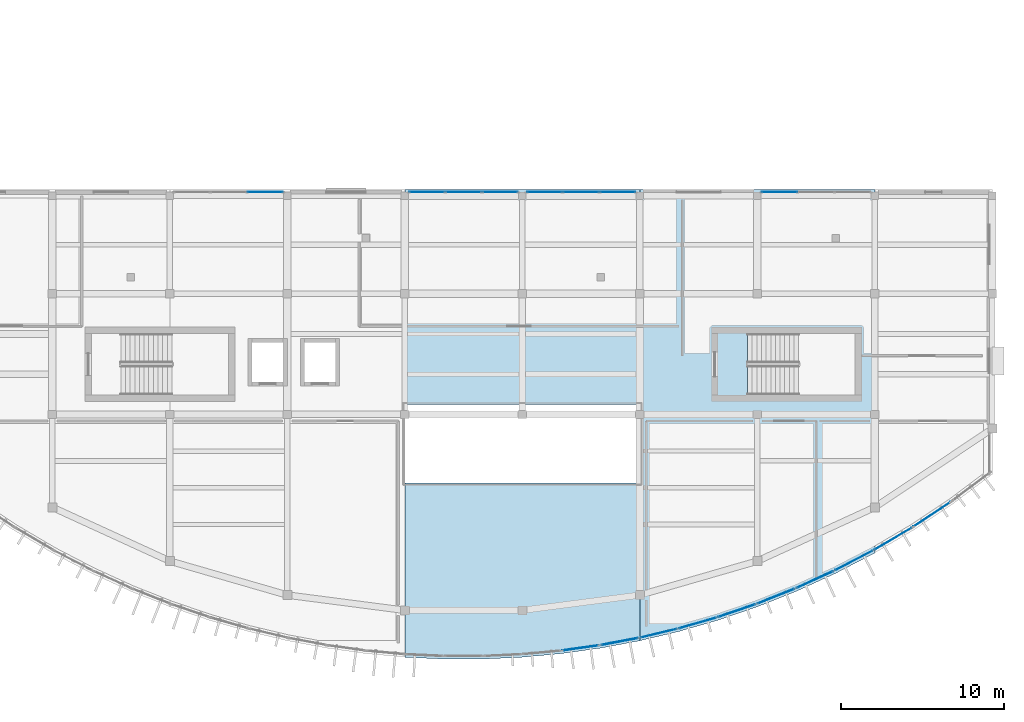
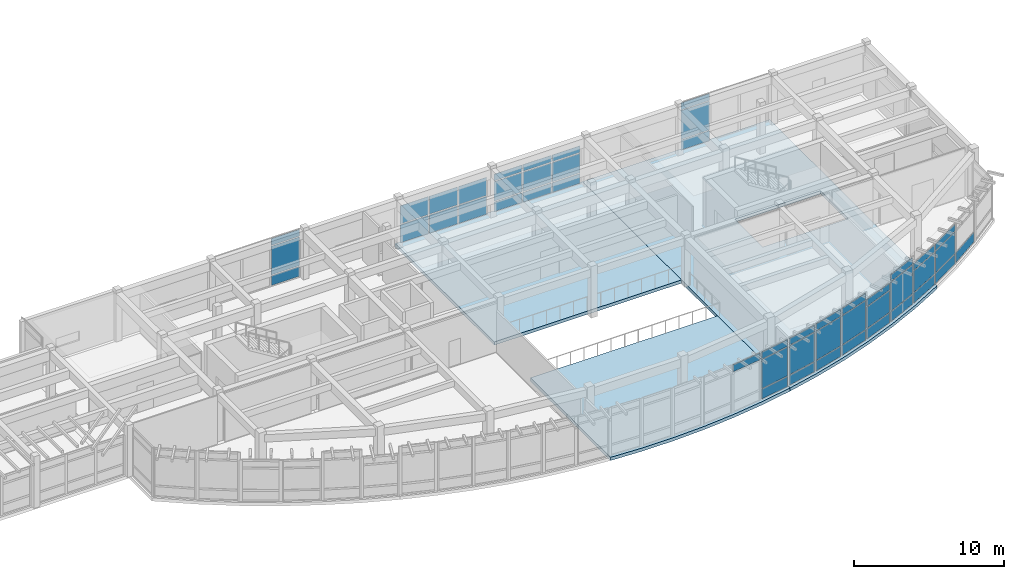
# One storey, part 33 of 60: 47 plates, 3 slabs, 14 elements without a shape of their own.
"""IFC4 building model written with IfcOpenShell, lengths in metres."""

from ifc_helpers import new_model, si_unit, direction, frame, origin, origin_2d, place, context, subcontext, project, spatial, polyline, rectangle, outline, extrude, material, layer, layer_set, type_object, element, aggregate, save


model = new_model("IFC4")

# Units and contexts
model_context = context("Model", 3, precision=1e-05, world=origin(), true_north=direction((0.0, 1.0)))
body_context = subcontext(model_context, "Body", "Model", "MODEL_VIEW")
ifc_project = project(units=[si_unit("LENGTHUNIT", "METRE"), si_unit("AREAUNIT", "SQUARE_METRE"), si_unit("VOLUMEUNIT", "CUBIC_METRE"), si_unit("PLANEANGLEUNIT", "RADIAN"), si_unit("MASSUNIT", "GRAM", prefix="KILO")], contexts=[model_context])

# Site, building, storey
site_placement = place(None, origin())
site = spatial("IfcSite", under=ifc_project, at=site_placement, CompositionType="ELEMENT")
building_placement = place(site_placement, origin())
building = spatial("IfcBuilding", under=site, at=building_placement, Name="Brisavento Harbour Community Centre", CompositionType="ELEMENT")
storey_placement = place(building_placement, frame((0.0, 0.0, 4.5)))
storey = spatial("IfcBuildingStorey", under=building, at=storey_placement, Name="L01", CompositionType="ELEMENT", Elevation=4.5)

# Curtain wall, plates
ifc_material_1 = material(Name="Marine-anodised aluminium AW-6063-T6", Category="aluminium")
ifc_layer_1 = layer(ifc_material_1, 0.179931640625, Name="Marine-anodised aluminium AW-6063-T6")
ifc_layer_set_1 = layer_set([ifc_layer_1], Name="Marine-anodised aluminium AW-6063-T6")
curtain_wall_type_1 = type_object("IfcCurtainWallType", Name="CW-SYS-20", PredefinedType="USERDEFINED", material=ifc_layer_set_1)
curtain_wall_1_placement = place(storey_placement, origin())
curtain_wall_1 = element("IfcCurtainWall", 1, at=curtain_wall_1_placement, inside=storey, type_object=curtain_wall_type_1, Name="L01 V3 unitised curtain wall 076", ObjectType="UNITISED CURTAIN WALL", PredefinedType="USERDEFINED")
ifc_material_2 = material(Name="Solar-control laminated low-E glass", Category="glass")
ifc_layer_2 = layer(ifc_material_2, 0.02392578125, Name="Solar-control laminated low-E glass")
ifc_layer_set_2 = layer_set([ifc_layer_2], Name="Solar-control laminated low-E glass")
plate_type_1 = type_object("IfcPlateType", Name="CWP-GLZ-1", PredefinedType="CURTAIN_PANEL", material=ifc_layer_set_2)
plate_1_placement = place(storey_placement, frame((152.3583984375, 1.59375, 0.080078125), z_axis=(0.0, 0.0, 1.0), x_axis=(-0.973000103624, -0.230804675748, 0.0)))
plate_1 = element("IfcPlate", 2, at=plate_1_placement, type_object=plate_type_1, Name="CW-20 panel 1.1", PredefinedType="CURTAIN_PANEL", context=body_context, shape_type="SweptSolid", body=[
    extrude(rectangle(XDim=2.2705078125, YDim=0.02392578125, at=origin_2d()), origin(), (0.0, 0.0, 1.0), 0.780029296875),
])
plate_2_placement = place(storey_placement, frame((152.3583984375, 1.59375, 0.93994140625), z_axis=(0.0, 0.0, 1.0), x_axis=(-0.973000103624, -0.230804675748, 0.0)))
plate_2 = element("IfcPlate", 3, at=plate_2_placement, type_object=plate_type_1, Name="CW-20 panel 1.2", PredefinedType="CURTAIN_PANEL", context=body_context, shape_type="SweptSolid", body=[
    extrude(rectangle(XDim=2.2705078125, YDim=0.02392578125, at=origin_2d()), origin(), (0.0, 0.0, 1.0), 2.320068359375),
])
plate_3_placement = place(storey_placement, frame((152.3583984375, 1.59375, 3.33984375), z_axis=(0.0, 0.0, 1.0), x_axis=(-0.973000103624, -0.230804675748, 0.0)))
plate_3 = element("IfcPlate", 4, at=plate_3_placement, type_object=plate_type_1, Name="CW-20 panel 1.3", PredefinedType="CURTAIN_PANEL", context=body_context, shape_type="SweptSolid", body=[
    extrude(rectangle(XDim=2.2705078125, YDim=0.02392578125, at=origin_2d()), origin(), (0.0, 0.0, 1.0), 0.530029296875),
])
aggregate(curtain_wall_1, [plate_1, plate_2, plate_3])

ifc_layer_3 = layer(ifc_material_1, 0.179931640625, Name="Marine-anodised aluminium AW-6063-T6")
ifc_layer_set_3 = layer_set([ifc_layer_3], Name="Marine-anodised aluminium AW-6063-T6")
curtain_wall_type_2 = type_object("IfcCurtainWallType", Name="CW-SYS-25", PredefinedType="USERDEFINED", material=ifc_layer_set_3)
curtain_wall_2_placement = place(storey_placement, origin())
curtain_wall_2 = element("IfcCurtainWall", 5, at=curtain_wall_2_placement, inside=storey, type_object=curtain_wall_type_2, Name="L01 V3 unitised curtain wall 081", ObjectType="UNITISED CURTAIN WALL", PredefinedType="USERDEFINED")
plate_4_placement = place(storey_placement, frame((164.31689453125, 6.04931640625, 0.06494140625), z_axis=(0.0, 0.0, 1.0), x_axis=(-0.887026600781, -0.461718322689, 0.0)))
plate_4 = element("IfcPlate", 6, at=plate_4_placement, type_object=plate_type_1, Name="CW-25 panel 1.1", PredefinedType="CURTAIN_PANEL", context=body_context, shape_type="SweptSolid", body=[
    extrude(rectangle(XDim=2.53955078125, YDim=0.02392578125, at=origin_2d()), origin(), (0.0, 0.0, 1.0), 0.802490234375),
])
plate_5_placement = place(storey_placement, frame((164.31689453125, 6.04931640625, 0.9326171875), z_axis=(0.0, 0.0, 1.0), x_axis=(-0.887026600781, -0.461718322689, 0.0)))
plate_5 = element("IfcPlate", 7, at=plate_5_placement, type_object=plate_type_1, Name="CW-25 panel 1.2", PredefinedType="CURTAIN_PANEL", context=body_context, shape_type="SweptSolid", body=[
    extrude(rectangle(XDim=2.53955078125, YDim=0.02392578125, at=origin_2d()), origin(), (0.0, 0.0, 1.0), 1.735107421875),
])
plate_6_placement = place(storey_placement, frame((164.31689453125, 6.04931640625, 2.732421875), z_axis=(0.0, 0.0, 1.0), x_axis=(-0.887026600781, -0.461718322689, 0.0)))
plate_6 = element("IfcPlate", 8, at=plate_6_placement, type_object=plate_type_1, Name="CW-25 panel 1.3", PredefinedType="CURTAIN_PANEL", context=body_context, shape_type="SweptSolid", body=[
    extrude(rectangle(XDim=2.53955078125, YDim=0.02392578125, at=origin_2d()), origin(), (0.0, 0.0, 1.0), 0.552490234375),
])
aggregate(curtain_wall_2, [plate_4, plate_5, plate_6])

ifc_layer_4 = layer(ifc_material_1, 0.179931640625, Name="Marine-anodised aluminium AW-6063-T6")
ifc_layer_set_4 = layer_set([ifc_layer_4], Name="Marine-anodised aluminium AW-6063-T6")
curtain_wall_type_3 = type_object("IfcCurtainWallType", Name="CW-SYS-02", PredefinedType="USERDEFINED", material=ifc_layer_set_4)
curtain_wall_3_placement = place(storey_placement, origin())
curtain_wall_3 = element("IfcCurtainWall", 9, at=curtain_wall_3_placement, inside=storey, type_object=curtain_wall_type_3, Name="L01 V3 unitised curtain wall 086", ObjectType="UNITISED CURTAIN WALL", PredefinedType="USERDEFINED")
plate_7_placement = place(storey_placement, frame((128.242431640625, 28.6201171875, 0.070068359375), z_axis=(0.0, 0.0, 1.0), x_axis=(1.0, 0.0, 0.0)))
plate_7 = element("IfcPlate", 10, at=plate_7_placement, type_object=plate_type_1, Name="CW-02 panel 3.1", PredefinedType="CURTAIN_PANEL", context=body_context, shape_type="SweptSolid", body=[
    extrude(rectangle(XDim=2.155029296875, YDim=0.02392578125, at=origin_2d()), origin(), (0.0, 0.0, 1.0), 0.794921875),
])
plate_8_placement = place(storey_placement, frame((128.242431640625, 28.6201171875, 0.93505859375), z_axis=(0.0, 0.0, 1.0), x_axis=(1.0, 0.0, 0.0)))
plate_8 = element("IfcPlate", 11, at=plate_8_placement, type_object=plate_type_1, Name="CW-02 panel 3.2", PredefinedType="CURTAIN_PANEL", context=body_context, shape_type="SweptSolid", body=[
    extrude(rectangle(XDim=2.155029296875, YDim=0.02392578125, at=origin_2d()), origin(), (0.0, 0.0, 1.0), 2.330078125),
])
plate_9_placement = place(storey_placement, frame((128.242431640625, 28.6201171875, 3.3349609375), z_axis=(0.0, 0.0, 1.0), x_axis=(1.0, 0.0, 0.0)))
plate_9 = element("IfcPlate", 12, at=plate_9_placement, type_object=plate_type_1, Name="CW-02 panel 3.3", PredefinedType="CURTAIN_PANEL", context=body_context, shape_type="SweptSolid", body=[
    extrude(rectangle(XDim=2.155029296875, YDim=0.02392578125, at=origin_2d()), origin(), (0.0, 0.0, 1.0), 0.544921875),
])
aggregate(curtain_wall_3, [plate_7, plate_8, plate_9])

ifc_layer_5 = layer(ifc_material_1, 0.179931640625, Name="Marine-anodised aluminium AW-6063-T6")
ifc_layer_set_5 = layer_set([ifc_layer_5], Name="Marine-anodised aluminium AW-6063-T6")
curtain_wall_type_4 = type_object("IfcCurtainWallType", Name="CW-SYS-21", PredefinedType="USERDEFINED", material=ifc_layer_set_5)
curtain_wall_4_placement = place(storey_placement, origin())
curtain_wall_4 = element("IfcCurtainWall", 13, at=curtain_wall_4_placement, inside=storey, type_object=curtain_wall_type_4, Name="L01 V3 unitised curtain wall 077", ObjectType="UNITISED CURTAIN WALL", PredefinedType="USERDEFINED")
ifc_layer_6 = layer(ifc_material_2, 0.028076171875, Name="Solar-control laminated low-E glass")
ifc_layer_set_6 = layer_set([ifc_layer_6], Name="Solar-control laminated low-E glass")
plate_type_2 = type_object("IfcPlateType", Name="CWP-GLZ-2", PredefinedType="CURTAIN_PANEL", material=ifc_layer_set_6)
plate_10_placement = place(storey_placement, frame((154.75, 2.22216796875, 0.06494140625), z_axis=(0.0, 0.0, 1.0), x_axis=(-0.960869761126, -0.277000545402, 0.0)))
plate_10 = element("IfcPlate", 14, at=plate_10_placement, type_object=plate_type_2, Name="CW-21 panel 1.1", PredefinedType="CURTAIN_PANEL", context=body_context, shape_type="SweptSolid", body=[
    extrude(rectangle(XDim=2.331787109375, YDim=0.028076171875, at=origin_2d()), origin(), (0.0, 0.0, 1.0), 0.802490234375),
])
plate_11_placement = place(storey_placement, frame((154.75, 2.22216796875, 0.9326171875), z_axis=(0.0, 0.0, 1.0), x_axis=(-0.960869761126, -0.277000545402, 0.0)))
plate_11 = element("IfcPlate", 15, at=plate_11_placement, type_object=plate_type_2, Name="CW-21 panel 1.2", PredefinedType="CURTAIN_PANEL", context=body_context, shape_type="SweptSolid", body=[
    extrude(rectangle(XDim=2.331787109375, YDim=0.028076171875, at=origin_2d()), origin(), (0.0, 0.0, 1.0), 2.3349609375),
])
plate_12_placement = place(storey_placement, frame((154.75, 2.22216796875, 3.33251953125), z_axis=(0.0, 0.0, 1.0), x_axis=(-0.960869761126, -0.277000545402, 0.0)))
plate_12 = element("IfcPlate", 16, at=plate_12_placement, type_object=plate_type_2, Name="CW-21 panel 1.3", PredefinedType="CURTAIN_PANEL", context=body_context, shape_type="SweptSolid", body=[
    extrude(rectangle(XDim=2.331787109375, YDim=0.028076171875, at=origin_2d()), origin(), (0.0, 0.0, 1.0), 0.552490234375),
])
aggregate(curtain_wall_4, [plate_10, plate_11, plate_12])

ifc_layer_7 = layer(ifc_material_1, 0.179931640625, Name="Marine-anodised aluminium AW-6063-T6")
ifc_layer_set_7 = layer_set([ifc_layer_7], Name="Marine-anodised aluminium AW-6063-T6")
curtain_wall_type_5 = type_object("IfcCurtainWallType", Name="CW-SYS-26", PredefinedType="USERDEFINED", material=ifc_layer_set_7)
curtain_wall_5_placement = place(storey_placement, origin())
curtain_wall_5 = element("IfcCurtainWall", 17, at=curtain_wall_5_placement, inside=storey, type_object=curtain_wall_type_5, Name="L01 V3 unitised curtain wall 082", ObjectType="UNITISED CURTAIN WALL", PredefinedType="USERDEFINED")
plate_13_placement = place(storey_placement, frame((166.70849609375, 7.376708984375, 0.070068359375), z_axis=(0.0, 0.0, 1.0), x_axis=(-0.861429947925, -0.50787640703, 0.0)))
plate_13 = element("IfcPlate", 18, at=plate_13_placement, type_object=plate_type_2, Name="CW-26 panel 1.1", PredefinedType="CURTAIN_PANEL", context=body_context, shape_type="SweptSolid", body=[
    extrude(rectangle(XDim=2.610107421875, YDim=0.028076171875, at=origin_2d()), origin(), (0.0, 0.0, 1.0), 0.794921875),
])
plate_14_placement = place(storey_placement, frame((166.70849609375, 7.376708984375, 0.93505859375), z_axis=(0.0, 0.0, 1.0), x_axis=(-0.861429947925, -0.50787640703, 0.0)))
plate_14 = element("IfcPlate", 19, at=plate_14_placement, type_object=plate_type_2, Name="CW-26 panel 1.2", PredefinedType="CURTAIN_PANEL", context=body_context, shape_type="SweptSolid", body=[
    extrude(rectangle(XDim=2.610107421875, YDim=0.028076171875, at=origin_2d()), origin(), (0.0, 0.0, 1.0), 1.72998046875),
])
plate_15_placement = place(storey_placement, frame((166.70849609375, 7.376708984375, 2.735107421875), z_axis=(0.0, 0.0, 1.0), x_axis=(-0.861429947925, -0.50787640703, 0.0)))
plate_15 = element("IfcPlate", 20, at=plate_15_placement, type_object=plate_type_2, Name="CW-26 panel 1.3", PredefinedType="CURTAIN_PANEL", context=body_context, shape_type="SweptSolid", body=[
    extrude(rectangle(XDim=2.610107421875, YDim=0.028076171875, at=origin_2d()), origin(), (0.0, 0.0, 1.0), 0.544921875),
])
aggregate(curtain_wall_5, [plate_13, plate_14, plate_15])

ifc_layer_8 = layer(ifc_material_1, 0.179931640625, Name="Marine-anodised aluminium AW-6063-T6")
ifc_layer_set_8 = layer_set([ifc_layer_8], Name="Marine-anodised aluminium AW-6063-T6")
curtain_wall_type_6 = type_object("IfcCurtainWallType", Name="CW-SYS-03", PredefinedType="USERDEFINED", material=ifc_layer_set_8)
curtain_wall_6_placement = place(storey_placement, origin())
curtain_wall_6 = element("IfcCurtainWall", 21, at=curtain_wall_6_placement, inside=storey, type_object=curtain_wall_type_6, Name="L01 V3 unitised curtain wall 087", ObjectType="UNITISED CURTAIN WALL", PredefinedType="USERDEFINED")
plate_16_placement = place(storey_placement, frame((138.15869140625, 28.6201171875, 0.074951171875), z_axis=(0.0, 0.0, 1.0), x_axis=(1.0, 0.0, 0.0)))
plate_16 = element("IfcPlate", 22, at=plate_16_placement, type_object=plate_type_2, Name="CW-03 panel 1.1", PredefinedType="CURTAIN_PANEL", context=body_context, shape_type="SweptSolid", body=[
    extrude(rectangle(XDim=2.1474609375, YDim=0.028076171875, at=origin_2d()), origin(), (0.0, 0.0, 1.0), 1.46240234375),
])
plate_17_placement = place(storey_placement, frame((138.15869140625, 28.6201171875, 1.612548828125), z_axis=(0.0, 0.0, 1.0), x_axis=(1.0, 0.0, 0.0)))
plate_17 = element("IfcPlate", 23, at=plate_17_placement, type_object=plate_type_2, Name="CW-03 panel 1.2", PredefinedType="CURTAIN_PANEL", context=body_context, shape_type="SweptSolid", body=[
    extrude(rectangle(XDim=2.1474609375, YDim=0.028076171875, at=origin_2d()), origin(), (0.0, 0.0, 1.0), 1.46240234375),
])
plate_18_placement = place(storey_placement, frame((140.39990234375, 28.6201171875, 0.074951171875), z_axis=(0.0, 0.0, 1.0), x_axis=(1.0, 0.0, 0.0)))
plate_18 = element("IfcPlate", 24, at=plate_18_placement, type_object=plate_type_2, Name="CW-03 panel 2.1", PredefinedType="CURTAIN_PANEL", context=body_context, shape_type="SweptSolid", body=[
    extrude(rectangle(XDim=2.18505859375, YDim=0.028076171875, at=origin_2d()), origin(), (0.0, 0.0, 1.0), 1.46240234375),
])
plate_19_placement = place(storey_placement, frame((140.39990234375, 28.6201171875, 1.612548828125), z_axis=(0.0, 0.0, 1.0), x_axis=(1.0, 0.0, 0.0)))
plate_19 = element("IfcPlate", 25, at=plate_19_placement, type_object=plate_type_2, Name="CW-03 panel 2.2", PredefinedType="CURTAIN_PANEL", context=body_context, shape_type="SweptSolid", body=[
    extrude(rectangle(XDim=2.18505859375, YDim=0.028076171875, at=origin_2d()), origin(), (0.0, 0.0, 1.0), 1.46240234375),
])
plate_20_placement = place(storey_placement, frame((142.641357421875, 28.6201171875, 0.074951171875), z_axis=(0.0, 0.0, 1.0), x_axis=(1.0, 0.0, 0.0)))
plate_20 = element("IfcPlate", 26, at=plate_20_placement, type_object=plate_type_2, Name="CW-03 panel 3.1", PredefinedType="CURTAIN_PANEL", context=body_context, shape_type="SweptSolid", body=[
    extrude(rectangle(XDim=2.1474609375, YDim=0.028076171875, at=origin_2d()), origin(), (0.0, 0.0, 1.0), 1.46240234375),
])
plate_21_placement = place(storey_placement, frame((142.641357421875, 28.6201171875, 1.612548828125), z_axis=(0.0, 0.0, 1.0), x_axis=(1.0, 0.0, 0.0)))
plate_21 = element("IfcPlate", 27, at=plate_21_placement, type_object=plate_type_2, Name="CW-03 panel 3.2", PredefinedType="CURTAIN_PANEL", context=body_context, shape_type="SweptSolid", body=[
    extrude(rectangle(XDim=2.1474609375, YDim=0.028076171875, at=origin_2d()), origin(), (0.0, 0.0, 1.0), 1.46240234375),
])
aggregate(curtain_wall_6, [plate_16, plate_17, plate_18, plate_19, plate_20, plate_21])

ifc_layer_9 = layer(ifc_material_1, 0.179931640625, Name="Marine-anodised aluminium AW-6063-T6")
ifc_layer_set_9 = layer_set([ifc_layer_9], Name="Marine-anodised aluminium AW-6063-T6")
curtain_wall_type_7 = type_object("IfcCurtainWallType", Name="CW-SYS-22", PredefinedType="USERDEFINED", material=ifc_layer_set_9)
curtain_wall_7_placement = place(storey_placement, origin())
curtain_wall_7 = element("IfcCurtainWall", 28, at=curtain_wall_7_placement, inside=storey, type_object=curtain_wall_type_7, Name="L01 V3 unitised curtain wall 078", ObjectType="UNITISED CURTAIN WALL", PredefinedType="USERDEFINED")
ifc_layer_10 = layer(ifc_material_2, 0.031982421875, Name="Solar-control laminated low-E glass")
ifc_layer_set_10 = layer_set([ifc_layer_10], Name="Solar-control laminated low-E glass")
plate_type_3 = type_object("IfcPlateType", Name="CWP-GLZ-3", PredefinedType="CURTAIN_PANEL", material=ifc_layer_set_10)
plate_22_placement = place(storey_placement, frame((157.141845703125, 2.975341796875, 0.070068359375), z_axis=(0.0, 0.0, 1.0), x_axis=(-0.94633792227, -0.32317880016, 0.0)))
plate_22 = element("IfcPlate", 29, at=plate_22_placement, type_object=plate_type_3, Name="CW-22 panel 1.1", PredefinedType="CURTAIN_PANEL", context=body_context, shape_type="SweptSolid", body=[
    extrude(rectangle(XDim=2.360107421875, YDim=0.031982421875, at=origin_2d()), origin(), (0.0, 0.0, 1.0), 0.794921875),
])
plate_23_placement = place(storey_placement, frame((157.141845703125, 2.975341796875, 0.93505859375), z_axis=(0.0, 0.0, 1.0), x_axis=(-0.94633792227, -0.32317880016, 0.0)))
plate_23 = element("IfcPlate", 30, at=plate_23_placement, type_object=plate_type_3, Name="CW-22 panel 1.2", PredefinedType="CURTAIN_PANEL", context=body_context, shape_type="SweptSolid", body=[
    extrude(rectangle(XDim=2.360107421875, YDim=0.031982421875, at=origin_2d()), origin(), (0.0, 0.0, 1.0), 2.330078125),
])
plate_24_placement = place(storey_placement, frame((157.141845703125, 2.975341796875, 3.3349609375), z_axis=(0.0, 0.0, 1.0), x_axis=(-0.94633792227, -0.32317880016, 0.0)))
plate_24 = element("IfcPlate", 31, at=plate_24_placement, type_object=plate_type_3, Name="CW-22 panel 1.3", PredefinedType="CURTAIN_PANEL", context=body_context, shape_type="SweptSolid", body=[
    extrude(rectangle(XDim=2.360107421875, YDim=0.031982421875, at=origin_2d()), origin(), (0.0, 0.0, 1.0), 0.544921875),
])
aggregate(curtain_wall_7, [plate_22, plate_23, plate_24])

# Curtain wall, plate
ifc_layer_11 = layer(ifc_material_1, 0.179931640625, Name="Marine-anodised aluminium AW-6063-T6")
ifc_layer_set_11 = layer_set([ifc_layer_11], Name="Marine-anodised aluminium AW-6063-T6")
curtain_wall_type_8 = type_object("IfcCurtainWallType", Name="CW-SYS-27", PredefinedType="USERDEFINED", material=ifc_layer_set_11)
curtain_wall_8_placement = place(storey_placement, origin())
curtain_wall_8 = element("IfcCurtainWall", 32, at=curtain_wall_8_placement, inside=storey, type_object=curtain_wall_type_8, Name="L01 V3 unitised curtain wall 083", ObjectType="UNITISED CURTAIN WALL", PredefinedType="USERDEFINED")
plate_25_placement = place(storey_placement, frame((169.100341796875, 8.877685546875, 0.074951171875), z_axis=(0.0, 0.0, 1.0), x_axis=(-0.832471558705, -0.554067779199, 0.0)))
plate_25 = element("IfcPlate", 33, at=plate_25_placement, type_object=plate_type_3, Name="CW-27 panel 1.1", PredefinedType="CURTAIN_PANEL", context=body_context, shape_type="SweptSolid", body=[
    extrude(rectangle(XDim=2.697021484375, YDim=0.031982421875, at=origin_2d()), origin(), (0.0, 0.0, 1.0), 0.78759765625),
])
aggregate(curtain_wall_8, [plate_25])

# Curtain wall, plates
ifc_layer_12 = layer(ifc_material_1, 0.179931640625, Name="Marine-anodised aluminium AW-6063-T6")
ifc_layer_set_12 = layer_set([ifc_layer_12], Name="Marine-anodised aluminium AW-6063-T6")
curtain_wall_type_9 = type_object("IfcCurtainWallType", Name="CW-SYS-04", PredefinedType="USERDEFINED", material=ifc_layer_set_12)
curtain_wall_9_placement = place(storey_placement, origin())
curtain_wall_9 = element("IfcCurtainWall", 34, at=curtain_wall_9_placement, inside=storey, type_object=curtain_wall_type_9, Name="L01 V3 unitised curtain wall 088", ObjectType="UNITISED CURTAIN WALL", PredefinedType="USERDEFINED")
plate_26_placement = place(storey_placement, frame((145.360107421875, 28.6201171875, 0.080078125), z_axis=(0.0, 0.0, 1.0), x_axis=(1.0, 0.0, 0.0)))
plate_26 = element("IfcPlate", 35, at=plate_26_placement, type_object=plate_type_3, Name="CW-04 panel 1.1", PredefinedType="CURTAIN_PANEL", context=body_context, shape_type="SweptSolid", body=[
    extrude(rectangle(XDim=2.139892578125, YDim=0.031982421875, at=origin_2d()), origin(), (0.0, 0.0, 1.0), 0.780029296875),
])
plate_27_placement = place(storey_placement, frame((145.360107421875, 28.6201171875, 0.93994140625), z_axis=(0.0, 0.0, 1.0), x_axis=(1.0, 0.0, 0.0)))
plate_27 = element("IfcPlate", 36, at=plate_27_placement, type_object=plate_type_3, Name="CW-04 panel 1.2", PredefinedType="CURTAIN_PANEL", context=body_context, shape_type="SweptSolid", body=[
    extrude(rectangle(XDim=2.139892578125, YDim=0.031982421875, at=origin_2d()), origin(), (0.0, 0.0, 1.0), 1.570068359375),
])
plate_28_placement = place(storey_placement, frame((145.360107421875, 28.6201171875, 2.58984375), z_axis=(0.0, 0.0, 1.0), x_axis=(1.0, 0.0, 0.0)))
plate_28 = element("IfcPlate", 37, at=plate_28_placement, type_object=plate_type_3, Name="CW-04 panel 1.3", PredefinedType="CURTAIN_PANEL", context=body_context, shape_type="SweptSolid", body=[
    extrude(rectangle(XDim=2.139892578125, YDim=0.031982421875, at=origin_2d()), origin(), (0.0, 0.0, 1.0), 0.530029296875),
])
plate_29_placement = place(storey_placement, frame((147.60009765625, 28.6201171875, 0.080078125), z_axis=(0.0, 0.0, 1.0), x_axis=(1.0, 0.0, 0.0)))
plate_29 = element("IfcPlate", 38, at=plate_29_placement, type_object=plate_type_3, Name="CW-04 panel 2.1", PredefinedType="CURTAIN_PANEL", context=body_context, shape_type="SweptSolid", body=[
    extrude(rectangle(XDim=2.179931640625, YDim=0.031982421875, at=origin_2d()), origin(), (0.0, 0.0, 1.0), 0.780029296875),
])
plate_30_placement = place(storey_placement, frame((147.60009765625, 28.6201171875, 0.93994140625), z_axis=(0.0, 0.0, 1.0), x_axis=(1.0, 0.0, 0.0)))
plate_30 = element("IfcPlate", 39, at=plate_30_placement, type_object=plate_type_3, Name="CW-04 panel 2.2", PredefinedType="CURTAIN_PANEL", context=body_context, shape_type="SweptSolid", body=[
    extrude(rectangle(XDim=2.179931640625, YDim=0.031982421875, at=origin_2d()), origin(), (0.0, 0.0, 1.0), 1.570068359375),
])
plate_31_placement = place(storey_placement, frame((147.60009765625, 28.6201171875, 2.58984375), z_axis=(0.0, 0.0, 1.0), x_axis=(1.0, 0.0, 0.0)))
plate_31 = element("IfcPlate", 40, at=plate_31_placement, type_object=plate_type_3, Name="CW-04 panel 2.3", PredefinedType="CURTAIN_PANEL", context=body_context, shape_type="SweptSolid", body=[
    extrude(rectangle(XDim=2.179931640625, YDim=0.031982421875, at=origin_2d()), origin(), (0.0, 0.0, 1.0), 0.530029296875),
])
plate_32_placement = place(storey_placement, frame((149.840087890625, 28.6201171875, 0.080078125), z_axis=(0.0, 0.0, 1.0), x_axis=(1.0, 0.0, 0.0)))
plate_32 = element("IfcPlate", 41, at=plate_32_placement, type_object=plate_type_3, Name="CW-04 panel 3.1", PredefinedType="CURTAIN_PANEL", context=body_context, shape_type="SweptSolid", body=[
    extrude(rectangle(XDim=2.139892578125, YDim=0.031982421875, at=origin_2d()), origin(), (0.0, 0.0, 1.0), 0.780029296875),
])
plate_33_placement = place(storey_placement, frame((149.840087890625, 28.6201171875, 0.93994140625), z_axis=(0.0, 0.0, 1.0), x_axis=(1.0, 0.0, 0.0)))
plate_33 = element("IfcPlate", 42, at=plate_33_placement, type_object=plate_type_3, Name="CW-04 panel 3.2", PredefinedType="CURTAIN_PANEL", context=body_context, shape_type="SweptSolid", body=[
    extrude(rectangle(XDim=2.139892578125, YDim=0.031982421875, at=origin_2d()), origin(), (0.0, 0.0, 1.0), 1.570068359375),
])
plate_34_placement = place(storey_placement, frame((149.840087890625, 28.6201171875, 2.58984375), z_axis=(0.0, 0.0, 1.0), x_axis=(1.0, 0.0, 0.0)))
plate_34 = element("IfcPlate", 43, at=plate_34_placement, type_object=plate_type_3, Name="CW-04 panel 3.3", PredefinedType="CURTAIN_PANEL", context=body_context, shape_type="SweptSolid", body=[
    extrude(rectangle(XDim=2.139892578125, YDim=0.031982421875, at=origin_2d()), origin(), (0.0, 0.0, 1.0), 0.530029296875),
])
aggregate(curtain_wall_9, [plate_26, plate_27, plate_28, plate_29, plate_30, plate_31, plate_32, plate_33, plate_34])

# Curtain wall, plate
ifc_layer_13 = layer(ifc_material_1, 0.179931640625, Name="Marine-anodised aluminium AW-6063-T6")
ifc_layer_set_13 = layer_set([ifc_layer_13], Name="Marine-anodised aluminium AW-6063-T6")
curtain_wall_type_10 = type_object("IfcCurtainWallType", Name="CW-SYS-18", PredefinedType="USERDEFINED", material=ifc_layer_set_13)
curtain_wall_10_placement = place(storey_placement, origin())
curtain_wall_10 = element("IfcCurtainWall", 44, at=curtain_wall_10_placement, inside=storey, type_object=curtain_wall_type_10, Name="L01 V3 unitised curtain wall 074", ObjectType="UNITISED CURTAIN WALL", PredefinedType="USERDEFINED")
ifc_layer_14 = layer(ifc_material_2, 0.035888671875, Name="Solar-control laminated low-E glass")
ifc_layer_set_14 = layer_set([ifc_layer_14], Name="Solar-control laminated low-E glass")
plate_type_4 = type_object("IfcPlateType", Name="CWP-GLZ-4", PredefinedType="CURTAIN_PANEL", material=ifc_layer_set_14)
plate_35_placement = place(storey_placement, frame((147.5751953125, 0.693359375, 3.3349609375), z_axis=(0.0, 0.0, 1.0), x_axis=(-0.990365657711, -0.138476944024, 0.0)))
plate_35 = element("IfcPlate", 45, at=plate_35_placement, type_object=plate_type_4, Name="CW-18 panel 1.3", PredefinedType="CURTAIN_PANEL", context=body_context, shape_type="SweptSolid", body=[
    extrude(rectangle(XDim=2.247314453125, YDim=0.035888671875, at=origin_2d()), origin(), (0.0, 0.0, 1.0), 0.544921875),
])
aggregate(curtain_wall_10, [plate_35])

# Curtain wall, plates
ifc_layer_15 = layer(ifc_material_1, 0.179931640625, Name="Marine-anodised aluminium AW-6063-T6")
ifc_layer_set_15 = layer_set([ifc_layer_15], Name="Marine-anodised aluminium AW-6063-T6")
curtain_wall_type_11 = type_object("IfcCurtainWallType", Name="CW-SYS-23", PredefinedType="USERDEFINED", material=ifc_layer_set_15)
curtain_wall_11_placement = place(storey_placement, origin())
curtain_wall_11 = element("IfcCurtainWall", 46, at=curtain_wall_11_placement, inside=storey, type_object=curtain_wall_type_11, Name="L01 V3 unitised curtain wall 079", ObjectType="UNITISED CURTAIN WALL", PredefinedType="USERDEFINED")
plate_36_placement = place(storey_placement, frame((159.533447265625, 3.85888671875, 0.074951171875), z_axis=(0.0, 0.0, 1.0), x_axis=(-0.929278798027, -0.369379094613, 0.0)))
plate_36 = element("IfcPlate", 47, at=plate_36_placement, type_object=plate_type_4, Name="CW-23 panel 1.1", PredefinedType="CURTAIN_PANEL", context=body_context, shape_type="SweptSolid", body=[
    extrude(rectangle(XDim=2.396728515625, YDim=0.035888671875, at=origin_2d()), origin(), (0.0, 0.0, 1.0), 0.78759765625),
])
plate_37_placement = place(storey_placement, frame((159.533447265625, 3.85888671875, 0.9375), z_axis=(0.0, 0.0, 1.0), x_axis=(-0.929278798027, -0.369379094613, 0.0)))
plate_37 = element("IfcPlate", 48, at=plate_37_placement, type_object=plate_type_4, Name="CW-23 panel 1.2", PredefinedType="CURTAIN_PANEL", context=body_context, shape_type="SweptSolid", body=[
    extrude(rectangle(XDim=2.396728515625, YDim=0.035888671875, at=origin_2d()), origin(), (0.0, 0.0, 1.0), 1.72509765625),
])
plate_38_placement = place(storey_placement, frame((159.533447265625, 3.85888671875, 2.737548828125), z_axis=(0.0, 0.0, 1.0), x_axis=(-0.929278798027, -0.369379094613, 0.0)))
plate_38 = element("IfcPlate", 49, at=plate_38_placement, type_object=plate_type_4, Name="CW-23 panel 1.3", PredefinedType="CURTAIN_PANEL", context=body_context, shape_type="SweptSolid", body=[
    extrude(rectangle(XDim=2.396728515625, YDim=0.035888671875, at=origin_2d()), origin(), (0.0, 0.0, 1.0), 0.53759765625),
])
aggregate(curtain_wall_11, [plate_36, plate_37, plate_38])

ifc_layer_16 = layer(ifc_material_1, 0.179931640625, Name="Marine-anodised aluminium AW-6063-T6")
ifc_layer_set_16 = layer_set([ifc_layer_16], Name="Marine-anodised aluminium AW-6063-T6")
curtain_wall_type_12 = type_object("IfcCurtainWallType", Name="CW-SYS-05", PredefinedType="USERDEFINED", material=ifc_layer_set_16)
curtain_wall_12_placement = place(storey_placement, origin())
curtain_wall_12 = element("IfcCurtainWall", 50, at=curtain_wall_12_placement, inside=storey, type_object=curtain_wall_type_12, Name="L01 V3 unitised curtain wall 089", ObjectType="UNITISED CURTAIN WALL", PredefinedType="USERDEFINED")
plate_39_placement = place(storey_placement, frame((159.75634765625, 28.6201171875, 0.06494140625), z_axis=(0.0, 0.0, 1.0), x_axis=(1.0, 0.0, 0.0)))
plate_39 = element("IfcPlate", 51, at=plate_39_placement, type_object=plate_type_4, Name="CW-05 panel 1.1", PredefinedType="CURTAIN_PANEL", context=body_context, shape_type="SweptSolid", body=[
    extrude(rectangle(XDim=2.16259765625, YDim=0.035888671875, at=origin_2d()), origin(), (0.0, 0.0, 1.0), 0.802490234375),
])
plate_40_placement = place(storey_placement, frame((159.75634765625, 28.6201171875, 0.9326171875), z_axis=(0.0, 0.0, 1.0), x_axis=(1.0, 0.0, 0.0)))
plate_40 = element("IfcPlate", 52, at=plate_40_placement, type_object=plate_type_4, Name="CW-05 panel 1.2", PredefinedType="CURTAIN_PANEL", context=body_context, shape_type="SweptSolid", body=[
    extrude(rectangle(XDim=2.16259765625, YDim=0.035888671875, at=origin_2d()), origin(), (0.0, 0.0, 1.0), 2.3349609375),
])
plate_41_placement = place(storey_placement, frame((159.75634765625, 28.6201171875, 3.33251953125), z_axis=(0.0, 0.0, 1.0), x_axis=(1.0, 0.0, 0.0)))
plate_41 = element("IfcPlate", 53, at=plate_41_placement, type_object=plate_type_4, Name="CW-05 panel 1.3", PredefinedType="CURTAIN_PANEL", context=body_context, shape_type="SweptSolid", body=[
    extrude(rectangle(XDim=2.16259765625, YDim=0.035888671875, at=origin_2d()), origin(), (0.0, 0.0, 1.0), 0.552490234375),
])
aggregate(curtain_wall_12, [plate_39, plate_40, plate_41])

ifc_layer_17 = layer(ifc_material_1, 0.179931640625, Name="Marine-anodised aluminium AW-6063-T6")
ifc_layer_set_17 = layer_set([ifc_layer_17], Name="Marine-anodised aluminium AW-6063-T6")
curtain_wall_type_13 = type_object("IfcCurtainWallType", Name="CW-SYS-19", PredefinedType="USERDEFINED", material=ifc_layer_set_17)
curtain_wall_13_placement = place(storey_placement, origin())
curtain_wall_13 = element("IfcCurtainWall", 54, at=curtain_wall_13_placement, inside=storey, type_object=curtain_wall_type_13, Name="L01 V3 unitised curtain wall 075", ObjectType="UNITISED CURTAIN WALL", PredefinedType="USERDEFINED")
ifc_layer_18 = layer(ifc_material_2, 0.0400390625, Name="Solar-control laminated low-E glass")
ifc_layer_set_18 = layer_set([ifc_layer_18], Name="Solar-control laminated low-E glass")
plate_type_5 = type_object("IfcPlateType", Name="CWP-GLZ-5", PredefinedType="CURTAIN_PANEL", material=ifc_layer_set_18)
plate_42_placement = place(storey_placement, frame((149.966796875, 1.08544921875, 0.074951171875), z_axis=(0.0, 0.0, 1.0), x_axis=(-0.98280153597, -0.184664942245, 0.0)))
plate_42 = element("IfcPlate", 55, at=plate_42_placement, type_object=plate_type_5, Name="CW-19 panel 1.1", PredefinedType="CURTAIN_PANEL", context=body_context, shape_type="SweptSolid", body=[
    extrude(rectangle(XDim=2.255859375, YDim=0.0400390625, at=origin_2d()), origin(), (0.0, 0.0, 1.0), 0.78759765625),
])
plate_43_placement = place(storey_placement, frame((149.966796875, 1.08544921875, 0.9375), z_axis=(0.0, 0.0, 1.0), x_axis=(-0.98280153597, -0.184664942245, 0.0)))
plate_43 = element("IfcPlate", 56, at=plate_43_placement, type_object=plate_type_5, Name="CW-19 panel 1.2", PredefinedType="CURTAIN_PANEL", context=body_context, shape_type="SweptSolid", body=[
    extrude(rectangle(XDim=2.255859375, YDim=0.0400390625, at=origin_2d()), origin(), (0.0, 0.0, 1.0), 2.324951171875),
])
plate_44_placement = place(storey_placement, frame((149.966796875, 1.08544921875, 3.33740234375), z_axis=(0.0, 0.0, 1.0), x_axis=(-0.98280153597, -0.184664942245, 0.0)))
plate_44 = element("IfcPlate", 57, at=plate_44_placement, type_object=plate_type_5, Name="CW-19 panel 1.3", PredefinedType="CURTAIN_PANEL", context=body_context, shape_type="SweptSolid", body=[
    extrude(rectangle(XDim=2.255859375, YDim=0.0400390625, at=origin_2d()), origin(), (0.0, 0.0, 1.0), 0.53759765625),
])
aggregate(curtain_wall_13, [plate_42, plate_43, plate_44])

ifc_layer_19 = layer(ifc_material_1, 0.179931640625, Name="Marine-anodised aluminium AW-6063-T6")
ifc_layer_set_19 = layer_set([ifc_layer_19], Name="Marine-anodised aluminium AW-6063-T6")
curtain_wall_type_14 = type_object("IfcCurtainWallType", Name="CW-SYS-24", PredefinedType="USERDEFINED", material=ifc_layer_set_19)
curtain_wall_14_placement = place(storey_placement, origin())
curtain_wall_14 = element("IfcCurtainWall", 58, at=curtain_wall_14_placement, inside=storey, type_object=curtain_wall_type_14, Name="L01 V3 unitised curtain wall 080", ObjectType="UNITISED CURTAIN WALL", PredefinedType="USERDEFINED")
plate_45_placement = place(storey_placement, frame((161.92529296875, 4.880615234375, 0.080078125), z_axis=(0.0, 0.0, 1.0), x_axis=(-0.909597727846, -0.415490040189, 0.0)))
plate_45 = element("IfcPlate", 59, at=plate_45_placement, type_object=plate_type_5, Name="CW-24 panel 1.1", PredefinedType="CURTAIN_PANEL", context=body_context, shape_type="SweptSolid", body=[
    extrude(rectangle(XDim=2.4423828125, YDim=0.0400390625, at=origin_2d()), origin(), (0.0, 0.0, 1.0), 0.780029296875),
])
plate_46_placement = place(storey_placement, frame((161.92529296875, 4.880615234375, 0.93994140625), z_axis=(0.0, 0.0, 1.0), x_axis=(-0.909597727846, -0.415490040189, 0.0)))
plate_46 = element("IfcPlate", 60, at=plate_46_placement, type_object=plate_type_5, Name="CW-24 panel 1.2", PredefinedType="CURTAIN_PANEL", context=body_context, shape_type="SweptSolid", body=[
    extrude(rectangle(XDim=2.4423828125, YDim=0.0400390625, at=origin_2d()), origin(), (0.0, 0.0, 1.0), 2.320068359375),
])
plate_47_placement = place(storey_placement, frame((161.92529296875, 4.880615234375, 3.33984375), z_axis=(0.0, 0.0, 1.0), x_axis=(-0.909597727846, -0.415490040189, 0.0)))
plate_47 = element("IfcPlate", 61, at=plate_47_placement, type_object=plate_type_5, Name="CW-24 panel 1.3", PredefinedType="CURTAIN_PANEL", context=body_context, shape_type="SweptSolid", body=[
    extrude(rectangle(XDim=2.4423828125, YDim=0.0400390625, at=origin_2d()), origin(), (0.0, 0.0, 1.0), 0.530029296875),
])
aggregate(curtain_wall_14, [plate_45, plate_46, plate_47])

# Slabs
ifc_material_3 = material(Name="Concrete C35/45", Category="concrete")
ifc_layer_20 = layer(ifc_material_3, 0.260009765625, Name="Concrete C35/45")
ifc_layer_set_20 = layer_set([ifc_layer_20], Name="Concrete C35/45")
slab_type = type_object("IfcSlabType", Name="SLB-FLR-260", PredefinedType="FLOOR", material=ifc_layer_set_20)
slab_1_placement = place(storey_placement, frame((0.0, 0.0, -0.260009765625)))
element("IfcSlab", 62, at=slab_1_placement, inside=storey, type_object=slab_type, Name="L01 V3 structural floor slab 025", PredefinedType="FLOOR", context=body_context, shape_type="SweptSolid", body=[
    extrude(outline(polyline([(136.800048828125, 28.800048828125), (136.800048828125, 15.60009765625), (151.199951171875, 15.60009765625), (151.199951171875, 28.800048828125), (136.800048828125, 28.800048828125)])), origin(), (0.0, 0.0, 1.0), 0.260009765625),
])
slab_2_placement = place(storey_placement, frame((0.0, 0.0, -0.260009765625)))
element("IfcSlab", 63, at=slab_2_placement, inside=storey, type_object=slab_type, Name="L01 V3 structural floor slab 026", PredefinedType="FLOOR", context=body_context, shape_type="SweptSolid", body=[
    extrude(outline(polyline([(151.199951171875, 1.1337890625), (151.199951171875, 10.800048828125), (136.800048828125, 10.800048828125), (136.800048828125, 0.124755859375), (139.199951171875, 0.013916015625), (141.60009765625, 0.013916015625), (144.0, 0.124755859375), (146.39990234375, 0.347412109375), (148.800048828125, 0.682861328125), (151.199951171875, 1.1337890625)])), origin(), (0.0, 0.0, 1.0), 0.260009765625),
])
slab_3_placement = place(storey_placement, frame((0.0, 0.0, -0.260009765625)))
element("IfcSlab", 64, at=slab_3_placement, inside=storey, type_object=slab_type, Name="L01 V3 structural floor slab 027", PredefinedType="FLOOR", context=body_context, shape_type="SweptSolid", body=[
    extrude(outline(polyline([(151.199951171875, 28.800048828125), (151.199951171875, 1.1337890625), (153.60009765625, 1.703369140625), (156.0, 2.395263671875), (158.39990234375, 3.21484375), (160.800048828125, 4.168701171875), (163.199951171875, 5.264892578125), (165.60009765625, 6.51416015625), (165.60009765625, 28.800048828125), (151.199951171875, 28.800048828125)]), holes=[polyline([(164.39208984375, 16.2080078125), (157.80810546875, 16.2080078125), (157.80810546875, 19.94189453125), (164.39208984375, 19.94189453125), (164.39208984375, 16.2080078125)])]), origin(), (0.0, 0.0, 1.0), 0.260009765625),
])

save(model, "model.ifc")
